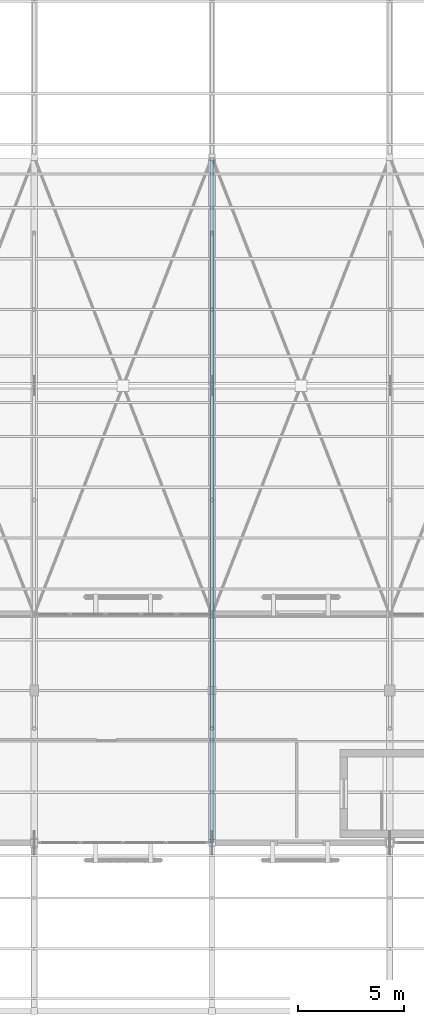
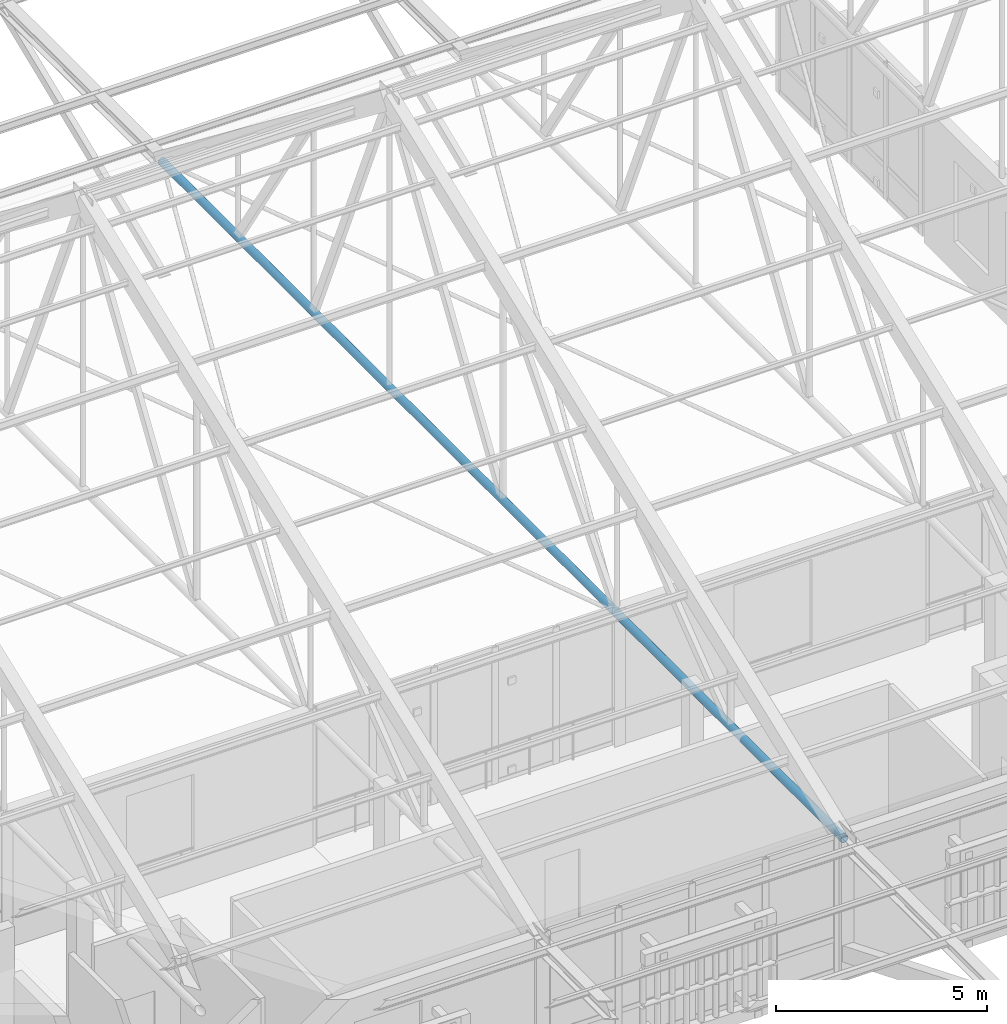
# One storey, part 103 of 217: 1 member.
"""IFC4 building model written with IfcOpenShell, lengths in metres."""

from ifc_helpers import new_model, si_unit, direction, frame, origin, origin_2d, place, context, subcontext, project, spatial, hollow_circle, extrude, material, material_profile, profile_set, type_object, element, save


model = new_model("IFC4")

# Units and contexts
model_context = context("Model", 3, precision=1e-05, world=origin(), true_north=direction((0.0, 1.0)))
body_context = subcontext(model_context, "Body", "Model", "MODEL_VIEW")
ifc_project = project(units=[si_unit("LENGTHUNIT", "METRE"), si_unit("AREAUNIT", "SQUARE_METRE"), si_unit("VOLUMEUNIT", "CUBIC_METRE"), si_unit("PLANEANGLEUNIT", "RADIAN"), si_unit("MASSUNIT", "GRAM", prefix="KILO")], contexts=[model_context])

# Site, building, storey
site_placement = place(None, origin())
site = spatial("IfcSite", under=ifc_project, at=site_placement, CompositionType="ELEMENT")
building_placement = place(site_placement, origin())
building = spatial("IfcBuilding", under=site, at=building_placement, Name="Mazaris Harbour Polytechnic", CompositionType="ELEMENT")
storey_placement = place(building_placement, frame((0.0, 0.0, 9.60009765625)))
storey = spatial("IfcBuildingStorey", under=building, at=storey_placement, Name="L02", CompositionType="ELEMENT", Elevation=9.60009765625)

# Member
ifc_material = material(Name="Steel S355", Category="steel")
ifc_material_profile = material_profile(ifc_material, hollow_circle(Radius=0.109619140625, WallThickness=0.010009765625, at=origin_2d()), Name="CHS 219.1x10.0")
ifc_profile_set = profile_set([ifc_material_profile], Name="Steel S355")
member_type = type_object("IfcMemberType", Name="Steel Tie Chord CHS219", PredefinedType="CHORD", material=ifc_profile_set)
member_placement = place(storey_placement, frame((96.0, 75.60009765625, 3.75), z_axis=(0.0, 1.0, 0.0), x_axis=(-1.0, 0.0, 0.0)))
element("IfcMember", 1, at=member_placement, inside=storey, type_object=member_type, Name="Truss 6 Continuous Tie Chord", PredefinedType="CHORD", context=body_context, shape_type="SweptSolid", body=[
    extrude(hollow_circle(Radius=0.109619140625, WallThickness=0.010009765625, at=origin_2d()), origin(), (0.0, 0.0, 1.0), 32.39990234375),
])

save(model, "model.ifc")
